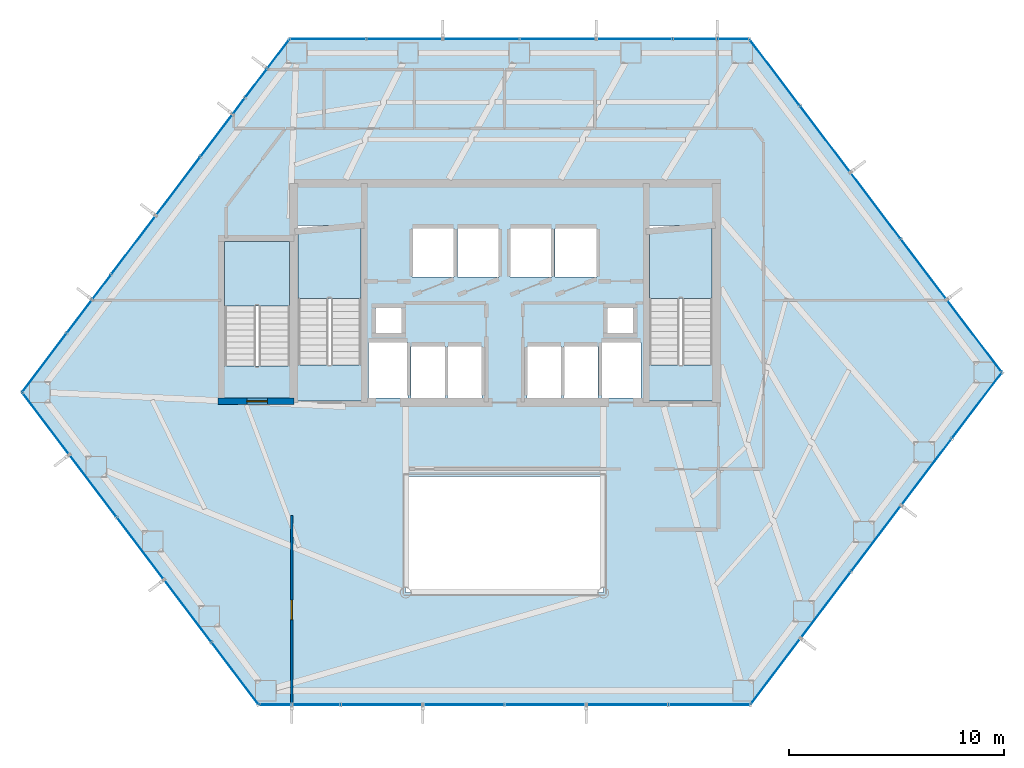
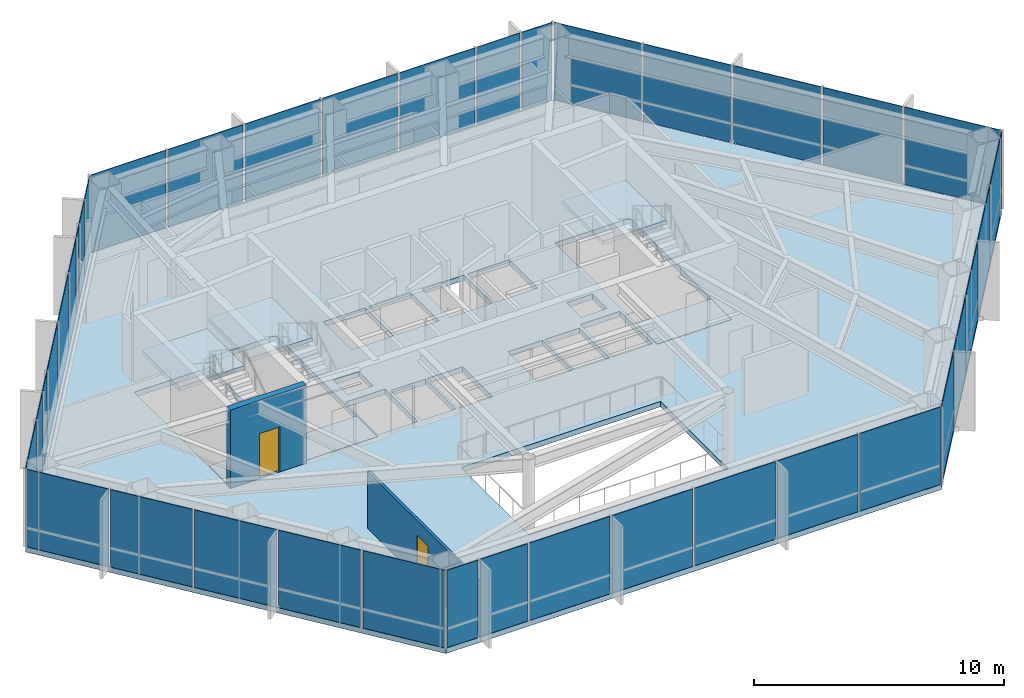
# One storey, part 22 of 26: 38 plates, 7 slabs, 2 doors, 2 walls, 2 openings, 9 elements without a shape of their own.
"""IFC4 building model written with IfcOpenShell, lengths in metres."""

import ifcopenshell
import ifcopenshell.guid

model = None  # the IFC model being written
_history = None  # IfcOwnerHistory: only IFC2X3 demands one
_inside = {}  # id of a spatial element -> (the spatial element, [elements in it])
_under = {}  # id of a project, library or spatial element -> (it, [spatial elements below it])
_declared = {}  # id of a project -> (the project, [libraries it declares])
_typed = {}  # id of a type object -> (the type object, [elements of that type])
_made_of = {}  # id of a material, layer set ... -> (it, [elements and type objects made of it])


def new_model(schema):
    """Start an empty IFC model of exactly this schema.

    Asked for "IFC4X3", IfcOpenShell would pick the latest addendum, in which some entities
    have other attributes; the version numbers below select the first issue.
    IFC2X3 requires an IfcOwnerHistory on every rooted entity: one is made here for all.
    """
    global model, _history
    if schema == "IFC4X3":
        model = ifcopenshell.file(schema_version=(4, 3, 0, 0))
    else:
        model = ifcopenshell.file(schema=schema)
    _inside.clear()
    _under.clear()
    _declared.clear()
    _typed.clear()
    _made_of.clear()
    _history = None
    if model.schema == "IFC2X3":
        org = make("IfcOrganization", Name="unknown")
        user = make(
            "IfcPersonAndOrganization",
            ThePerson=make("IfcPerson", FamilyName="unknown"),
            TheOrganization=org,
        )
        app = make(
            "IfcApplication",
            ApplicationDeveloper=org,
            Version="unknown",
            ApplicationFullName="unknown",
            ApplicationIdentifier="unknown",
        )
        _history = make(
            "IfcOwnerHistory",
            OwningUser=user,
            OwningApplication=app,
            ChangeAction="ADDED",
            CreationDate=0,
        )
    return model


def make(cls, **values):
    """One entity of the class cls with the attributes given. An attribute that is None is left unset."""
    return model.create_entity(
        cls, **{name: value for name, value in values.items() if value is not None}
    )


def rooted(cls, **values):
    """An entity with a GlobalId (a new one), such as an element, a storey or a relation."""
    return make(cls, GlobalId=ifcopenshell.guid.new(), OwnerHistory=_history, **values)


def si_unit(unit_type, name, prefix=None):
    """IfcSIUnit, for example si_unit("LENGTHUNIT", "METRE", prefix="MILLI")."""
    return make("IfcSIUnit", UnitType=unit_type, Prefix=prefix, Name=name)


def assignment(units):
    """IfcUnitAssignment: the units of a project."""
    return None if units is None else make("IfcUnitAssignment", Units=units)


def point(xyz):
    """IfcCartesianPoint."""
    return None if xyz is None else make("IfcCartesianPoint", Coordinates=xyz)


def direction(xyz):
    """IfcDirection."""
    return None if xyz is None else make("IfcDirection", DirectionRatios=xyz)


def frame(location, z_axis=None, x_axis=None):
    """IfcAxis2Placement3D, a coordinate frame: its origin and axes. An axis left out is left unset."""
    return make(
        "IfcAxis2Placement3D",
        Location=point(location),
        Axis=direction(z_axis),
        RefDirection=direction(x_axis),
    )


def frame_2d(location, x_axis=None):
    """IfcAxis2Placement2D, a coordinate frame in the plane: its origin and x axis."""
    return make(
        "IfcAxis2Placement2D", Location=point(location), RefDirection=direction(x_axis)
    )


def origin():
    """The frame at (0, 0, 0) with its axes left unset."""
    return frame((0.0, 0.0, 0.0))


def origin_2d():
    """The frame at (0, 0) in the plane with its x axis left unset."""
    return frame_2d((0.0, 0.0))


def place(relative_to, where):
    """IfcLocalPlacement: puts the frame where relative to a parent placement (None: the world)."""
    return make(
        "IfcLocalPlacement", PlacementRelTo=relative_to, RelativePlacement=where
    )


def context(
    kind, dimensions, precision=None, world=None, true_north=None, identifier=None
):
    """IfcGeometricRepresentationContext, for example the 3D "Model" context."""
    return make(
        "IfcGeometricRepresentationContext",
        ContextIdentifier=identifier,
        ContextType=kind,
        CoordinateSpaceDimension=dimensions,
        Precision=precision,
        WorldCoordinateSystem=world,
        TrueNorth=true_north,
    )


def subcontext(parent, identifier, kind, view, scale=None):
    """IfcGeometricRepresentationSubContext, for example "Body" below "Model"."""
    return make(
        "IfcGeometricRepresentationSubContext",
        ContextIdentifier=identifier,
        ContextType=kind,
        ParentContext=parent,
        TargetScale=scale,
        TargetView=view,
    )


def project(units=None, contexts=None):
    """IfcProject with its units and contexts."""
    return rooted(
        "IfcProject",
        Name="project",
        RepresentationContexts=contexts,
        UnitsInContext=assignment(units),
    )


def spatial(cls, under=None, at=None, **own):
    """A site, building, storey or space (cls), placed at a placement, below another one or the project."""
    s = rooted(cls, ObjectPlacement=at, **own)
    if under is not None:
        _under.setdefault(under.id(), (under, []))[1].append(s)
    return s


def polyline(points):
    """IfcPolyline through the points."""
    return make("IfcPolyline", Points=[point(p) for p in points])


def profile(cls, at=None, kind="AREA", **sizes):
    """A parametric profile (cls). Its sizes go by their IFC names, for example OverallWidth=200.0."""
    return make(cls, ProfileType=kind, Position=at, **sizes)


def rectangle(**sizes):
    """IfcRectangleProfileDef."""
    return profile("IfcRectangleProfileDef", **sizes)


def outline(outer, holes=None, kind="AREA"):
    """IfcArbitraryClosedProfileDef: a profile drawn as a closed curve; with holes, ...WithVoids."""
    if holes is None:
        return make("IfcArbitraryClosedProfileDef", ProfileType=kind, OuterCurve=outer)
    return make(
        "IfcArbitraryProfileDefWithVoids",
        ProfileType=kind,
        OuterCurve=outer,
        InnerCurves=holes,
    )


def extrude(swept, where, along, depth):
    """IfcExtrudedAreaSolid: the profile swept, set in the frame where, extruded along a direction by depth."""
    return make(
        "IfcExtrudedAreaSolid",
        SweptArea=swept,
        Position=where,
        ExtrudedDirection=direction(along),
        Depth=depth,
    )


def shape(context_of_items, identifier, shape_type, items):
    """IfcShapeRepresentation: the items that make up one representation, for example the "Body"."""
    return make(
        "IfcShapeRepresentation",
        ContextOfItems=context_of_items,
        RepresentationIdentifier=identifier,
        RepresentationType=shape_type,
        Items=items,
    )


def material(Name=None, Category=None):
    """IfcMaterial."""
    return make("IfcMaterial", Name=Name, Category=Category)


def layer(
    of_material, thickness, ventilated=None, Name=None, Category=None, Priority=None
):
    """IfcMaterialLayer: one layer of a wall or slab, of a material (None: an air gap)."""
    return make(
        "IfcMaterialLayer",
        Material=of_material,
        LayerThickness=thickness,
        IsVentilated=ventilated,
        Name=Name,
        Category=Category,
        Priority=Priority,
    )


def layer_set(layers, Name=None):
    """IfcMaterialLayerSet."""
    return make("IfcMaterialLayerSet", MaterialLayers=layers, LayerSetName=Name)


def made_of(thing, what):
    """Note that an element or type object is made of a material, layer set ...; save() writes the relation."""
    if what is not None:
        _made_of.setdefault(what.id(), (what, []))[1].append(thing)
    return thing


def type_object(cls, material=None, **own):
    """A type object (cls), such as IfcWallType, which elements share."""
    return made_of(rooted(cls, **own), material)


def element(
    cls,
    number,
    at=None,
    inside=None,
    cuts=None,
    type_object=None,
    material=None,
    context=None,
    identifier="Body",
    shape_type=None,
    held_by="IfcProductDefinitionShape",
    body=None,
    shapes=None,
    **own,
):
    """One element of the class cls, such as IfcWall. Its Tag is "e" and its number.

    at: its placement. inside: the storey or other place that contains it. cuts: it is an
    opening in that element (IfcRelVoidsElement). A single representation is given by context,
    identifier, shape_type and body (its items); several are given by shapes. held_by: the class
    of the entity that holds the representations. save() writes the other relations.
    """
    e = rooted(cls, Tag="e%d" % number, ObjectPlacement=at, **own)
    if body is not None:
        shapes = [shape(context, identifier, shape_type, body)]
    if shapes is not None:
        e.Representation = make(held_by, Representations=shapes)
    if inside is not None:
        _inside.setdefault(inside.id(), (inside, []))[1].append(e)
    if cuts is not None:
        rooted(
            "IfcRelVoidsElement", RelatingBuildingElement=cuts, RelatedOpeningElement=e
        )
    if type_object is not None:
        _typed.setdefault(type_object.id(), (type_object, []))[1].append(e)
    return made_of(e, material)


def fill(opening, filler):
    """IfcRelFillsElement: the door or window that sits in an opening."""
    return rooted(
        "IfcRelFillsElement",
        RelatingOpeningElement=opening,
        RelatedBuildingElement=filler,
    )


def aggregate(whole, parts):
    """IfcRelAggregates: a whole, such as a stair, and the parts it consists of."""
    return rooted("IfcRelAggregates", RelatingObject=whole, RelatedObjects=parts)


def save(model, path):
    """Write the relations noted so far, then the file.

    IfcRelAggregates (storeys below a building ...), IfcRelContainedInSpatialStructure (elements
    in a storey), IfcRelDefinesByType, IfcRelAssociatesMaterial and IfcRelDeclares: one each for
    every whole, place, type object, material and project.
    """
    for whole, parts in _under.values():
        aggregate(whole, parts)
    for where, things in _inside.values():
        rooted(
            "IfcRelContainedInSpatialStructure",
            RelatedElements=things,
            RelatingStructure=where,
        )
    for kind, things in _typed.values():
        rooted("IfcRelDefinesByType", RelatedObjects=things, RelatingType=kind)
    for what, things in _made_of.values():
        rooted("IfcRelAssociatesMaterial", RelatedObjects=things, RelatingMaterial=what)
    for by, libraries in _declared.values():
        rooted("IfcRelDeclares", RelatingContext=by, RelatedDefinitions=libraries)
    model.write(path)


model = new_model("IFC4")

# Units and contexts
model_context = context("Model", 3, precision=1e-05, world=origin(), true_north=direction((0.0, 1.0)))
body_context = subcontext(model_context, "Body", "Model", "MODEL_VIEW")
ifc_project = project(units=[si_unit("LENGTHUNIT", "METRE"), si_unit("AREAUNIT", "SQUARE_METRE"), si_unit("VOLUMEUNIT", "CUBIC_METRE"), si_unit("PLANEANGLEUNIT", "RADIAN"), si_unit("MASSUNIT", "GRAM", prefix="KILO")], contexts=[model_context])

# Site, building, storey
site_placement = place(None, origin())
site = spatial("IfcSite", under=ifc_project, at=site_placement, CompositionType="ELEMENT")
building_placement = place(site_placement, origin())
building = spatial("IfcBuilding", under=site, at=building_placement, Name="Zarrinselat Tower", CompositionType="ELEMENT")
storey_placement = place(building_placement, frame((0.0, 0.0, 31.6201171875)))
storey = spatial("IfcBuildingStorey", under=building, at=storey_placement, Name="L07", CompositionType="ELEMENT", Elevation=31.6201171875)

# Curtain wall, plates
ifc_material_1 = material(Name="Extruded Aluminium Alloy EN AW-6063 T6", Category="aluminium")
ifc_layer_1 = layer(ifc_material_1, 0.18505859375)
ifc_layer_set_1 = layer_set([ifc_layer_1], Name="Extruded Aluminium Alloy EN AW-6063 T6")
curtain_wall_type = type_object("IfcCurtainWallType", Name="CWS-OFF", PredefinedType="NOTDEFINED", material=ifc_layer_set_1)
curtain_wall_1_placement = place(storey_placement, origin())
curtain_wall_1 = element("IfcCurtainWall", 1, at=curtain_wall_1_placement, inside=storey, type_object=curtain_wall_type, Name="L07 Unitised Curtain Wall CW-L07-E01", PredefinedType="NOTDEFINED")
ifc_material_2 = material(Name="Double Low-E Laminated Solar Glass", Category="glass")
ifc_layer_2 = layer(ifc_material_2, 0.031982421875)
ifc_layer_set_2 = layer_set([ifc_layer_2], Name="Double Low-E Laminated Solar Glass")
plate_type = type_object("IfcPlateType", Name="PLT-CW-GL32", PredefinedType="CURTAIN_PANEL", material=ifc_layer_set_2)
plate_1_placement = place(storey_placement, frame((49.044677734375, 50.1611328125, 0.02001953125), z_axis=(0.0, 0.0, 1.0), x_axis=(-1.0, 0.0, 0.0)))
plate_1 = element("IfcPlate", 2, at=plate_1_placement, type_object=plate_type, Name="CW-L07-E01 Vision Glass Panel 1", PredefinedType="CURTAIN_PANEL", context=body_context, shape_type="SweptSolid", body=[
    extrude(rectangle(XDim=1.389404296875, YDim=0.031982421875, at=origin_2d()), origin(), (0.0, 0.0, 1.0), 3.780029296875),
])
plate_2_placement = place(storey_placement, frame((47.26220703125, 50.1611328125, 0.02001953125), z_axis=(0.0, 0.0, 1.0), x_axis=(-1.0, 0.0, 0.0)))
plate_2 = element("IfcPlate", 3, at=plate_2_placement, type_object=plate_type, Name="CW-L07-E01 Vision Glass Panel 2", PredefinedType="CURTAIN_PANEL", context=body_context, shape_type="SweptSolid", body=[
    extrude(rectangle(XDim=1.9755859375, YDim=0.031982421875, at=origin_2d()), origin(), (0.0, 0.0, 1.0), 3.780029296875),
])
plate_3_placement = place(storey_placement, frame((44.44189453125, 50.1611328125, 0.02001953125), z_axis=(0.0, 0.0, 1.0), x_axis=(-1.0, 0.0, 0.0)))
plate_3 = element("IfcPlate", 4, at=plate_3_placement, type_object=plate_type, Name="CW-L07-E01 Vision Glass Panel 3", PredefinedType="CURTAIN_PANEL", context=body_context, shape_type="SweptSolid", body=[
    extrude(rectangle(XDim=3.465087890625, YDim=0.031982421875, at=origin_2d()), origin(), (0.0, 0.0, 1.0), 3.780029296875),
])
plate_4_placement = place(storey_placement, frame((40.876953125, 50.1611328125, 0.02001953125), z_axis=(0.0, 0.0, 1.0), x_axis=(-1.0, 0.0, 0.0)))
plate_4 = element("IfcPlate", 5, at=plate_4_placement, type_object=plate_type, Name="CW-L07-E01 Vision Glass Panel 4", PredefinedType="CURTAIN_PANEL", context=body_context, shape_type="SweptSolid", body=[
    extrude(rectangle(XDim=3.465087890625, YDim=0.031982421875, at=origin_2d()), origin(), (0.0, 0.0, 1.0), 3.780029296875),
])
plate_5_placement = place(storey_placement, frame((37.31201171875, 50.1611328125, 0.02001953125), z_axis=(0.0, 0.0, 1.0), x_axis=(-1.0, 0.0, 0.0)))
plate_5 = element("IfcPlate", 6, at=plate_5_placement, type_object=plate_type, Name="CW-L07-E01 Vision Glass Panel 5", PredefinedType="CURTAIN_PANEL", context=body_context, shape_type="SweptSolid", body=[
    extrude(rectangle(XDim=3.465087890625, YDim=0.031982421875, at=origin_2d()), origin(), (0.0, 0.0, 1.0), 3.780029296875),
])
plate_6_placement = place(storey_placement, frame((33.746826171875, 50.1611328125, 0.02001953125), z_axis=(0.0, 0.0, 1.0), x_axis=(-1.0, 0.0, 0.0)))
plate_6 = element("IfcPlate", 7, at=plate_6_placement, type_object=plate_type, Name="CW-L07-E01 Vision Glass Panel 6", PredefinedType="CURTAIN_PANEL", context=body_context, shape_type="SweptSolid", body=[
    extrude(rectangle(XDim=3.465087890625, YDim=0.031982421875, at=origin_2d()), origin(), (0.0, 0.0, 1.0), 3.780029296875),
])
plate_7_placement = place(storey_placement, frame((30.181884765625, 50.1611328125, 0.02001953125), z_axis=(0.0, 0.0, 1.0), x_axis=(-1.0, 0.0, 0.0)))
plate_7 = element("IfcPlate", 8, at=plate_7_placement, type_object=plate_type, Name="CW-L07-E01 Vision Glass Panel 7", PredefinedType="CURTAIN_PANEL", context=body_context, shape_type="SweptSolid", body=[
    extrude(rectangle(XDim=3.465087890625, YDim=0.031982421875, at=origin_2d()), origin(), (0.0, 0.0, 1.0), 3.780029296875),
])
aggregate(curtain_wall_1, [plate_1, plate_2, plate_3, plate_4, plate_5, plate_6, plate_7])

curtain_wall_2_placement = place(storey_placement, origin())
curtain_wall_2 = element("IfcCurtainWall", 9, at=curtain_wall_2_placement, inside=storey, type_object=curtain_wall_type, Name="L07 Unitised Curtain Wall CW-L07-E02", PredefinedType="NOTDEFINED")
plate_8_placement = place(storey_placement, frame((27.878662109375, 49.4736328125, 0.02001953125), z_axis=(0.0, 0.0, 1.0), x_axis=(-0.603858715485, -0.797091369752, 0.0)))
plate_8 = element("IfcPlate", 10, at=plate_8_placement, type_object=plate_type, Name="CW-L07-E02 Vision Glass Panel 1", PredefinedType="CURTAIN_PANEL", context=body_context, shape_type="SweptSolid", body=[
    extrude(rectangle(XDim=1.624755859375, YDim=0.031982421875, at=origin_2d()), origin(), (0.0, 0.0, 1.0), 3.780029296875),
])
plate_9_placement = place(storey_placement, frame((26.84130859375, 48.1044921875, 0.02001953125), z_axis=(0.0, 0.0, 1.0), x_axis=(-0.603858715485, -0.797091369752, 0.0)))
plate_9 = element("IfcPlate", 11, at=plate_9_placement, type_object=plate_type, Name="CW-L07-E02 Vision Glass Panel 2", PredefinedType="CURTAIN_PANEL", context=body_context, shape_type="SweptSolid", body=[
    extrude(rectangle(XDim=1.610595703125, YDim=0.031982421875, at=origin_2d()), origin(), (0.0, 0.0, 1.0), 3.780029296875),
])
plate_10_placement = place(storey_placement, frame((26.03857421875, 47.044921875, 0.02001953125), z_axis=(0.0, 0.0, 1.0), x_axis=(-0.603858715485, -0.797091369752, 0.0)))
plate_10 = element("IfcPlate", 12, at=plate_10_placement, type_object=plate_type, Name="CW-L07-E02 Vision Glass Panel 3", PredefinedType="CURTAIN_PANEL", context=body_context, shape_type="SweptSolid", body=[
    extrude(rectangle(XDim=0.8486328125, YDim=0.031982421875, at=origin_2d()), origin(), (0.0, 0.0, 1.0), 3.780029296875),
])
plate_11_placement = place(storey_placement, frame((25.001220703125, 45.67578125, 0.02001953125), z_axis=(0.0, 0.0, 1.0), x_axis=(-0.603858715485, -0.797091369752, 0.0)))
plate_11 = element("IfcPlate", 13, at=plate_11_placement, type_object=plate_type, Name="CW-L07-E02 Vision Glass Panel 4", PredefinedType="CURTAIN_PANEL", context=body_context, shape_type="SweptSolid", body=[
    extrude(rectangle(XDim=2.38671875, YDim=0.031982421875, at=origin_2d()), origin(), (0.0, 0.0, 1.0), 3.780029296875),
])
plate_12_placement = place(storey_placement, frame((23.21337890625, 43.3154296875, 0.02001953125), z_axis=(0.0, 0.0, 1.0), x_axis=(-0.603858715485, -0.797091369752, 0.0)))
plate_12 = element("IfcPlate", 14, at=plate_12_placement, type_object=plate_type, Name="CW-L07-E02 Vision Glass Panel 5", PredefinedType="CURTAIN_PANEL", context=body_context, shape_type="SweptSolid", body=[
    extrude(rectangle(XDim=3.335205078125, YDim=0.031982421875, at=origin_2d()), origin(), (0.0, 0.0, 1.0), 3.780029296875),
])
plate_13_placement = place(storey_placement, frame((21.138916015625, 40.5771484375, 0.02001953125), z_axis=(0.0, 0.0, 1.0), x_axis=(-0.603858715485, -0.797091369752, 0.0)))
plate_13 = element("IfcPlate", 15, at=plate_13_placement, type_object=plate_type, Name="CW-L07-E02 Vision Glass Panel 6", PredefinedType="CURTAIN_PANEL", context=body_context, shape_type="SweptSolid", body=[
    extrude(rectangle(XDim=3.335205078125, YDim=0.031982421875, at=origin_2d()), origin(), (0.0, 0.0, 1.0), 3.780029296875),
])
plate_14_placement = place(storey_placement, frame((19.65771484375, 38.6220703125, 0.02001953125), z_axis=(0.0, 0.0, 1.0), x_axis=(-0.603858715485, -0.797091369752, 0.0)))
plate_14 = element("IfcPlate", 16, at=plate_14_placement, type_object=plate_type, Name="CW-L07-E02 Vision Glass Panel 7", PredefinedType="CURTAIN_PANEL", context=body_context, shape_type="SweptSolid", body=[
    extrude(rectangle(XDim=1.3701171875, YDim=0.031982421875, at=origin_2d()), origin(), (0.0, 0.0, 1.0), 3.780029296875),
])
plate_15_placement = place(storey_placement, frame((18.62060546875, 37.2529296875, 0.02001953125), z_axis=(0.0, 0.0, 1.0), x_axis=(-0.603858715485, -0.797091369752, 0.0)))
plate_15 = element("IfcPlate", 17, at=plate_15_placement, type_object=plate_type, Name="CW-L07-E02 Vision Glass Panel 8", PredefinedType="CURTAIN_PANEL", context=body_context, shape_type="SweptSolid", body=[
    extrude(rectangle(XDim=1.865234375, YDim=0.031982421875, at=origin_2d()), origin(), (0.0, 0.0, 1.0), 3.780029296875),
])
plate_16_placement = place(storey_placement, frame((16.989990234375, 35.1005859375, 0.02001953125), z_axis=(0.0, 0.0, 1.0), x_axis=(-0.603858715485, -0.797091369752, 0.0)))
plate_16 = element("IfcPlate", 18, at=plate_16_placement, type_object=plate_type, Name="CW-L07-E02 Vision Glass Panel 9", PredefinedType="CURTAIN_PANEL", context=body_context, shape_type="SweptSolid", body=[
    extrude(rectangle(XDim=3.335205078125, YDim=0.031982421875, at=origin_2d()), origin(), (0.0, 0.0, 1.0), 3.780029296875),
])
aggregate(curtain_wall_2, [plate_8, plate_9, plate_10, plate_11, plate_12, plate_13, plate_14, plate_15, plate_16])

curtain_wall_3_placement = place(storey_placement, origin())
curtain_wall_3 = element("IfcCurtainWall", 19, at=curtain_wall_3_placement, inside=storey, type_object=curtain_wall_type, Name="L07 Unitised Curtain Wall CW-L07-E03", PredefinedType="NOTDEFINED")
plate_17_placement = place(storey_placement, frame((17.05419921875, 32.27734375, 0.02001953125), z_axis=(0.0, 0.0, 1.0), x_axis=(0.603858215687, -0.797091748388, 0.0)))
plate_17 = element("IfcPlate", 20, at=plate_17_placement, type_object=plate_type, Name="CW-L07-E03 Vision Glass Panel 1", PredefinedType="CURTAIN_PANEL", context=body_context, shape_type="SweptSolid", body=[
    extrude(rectangle(XDim=3.548583984375, YDim=0.031982421875, at=origin_2d()), origin(), (0.0, 0.0, 1.0), 3.780029296875),
])
plate_18_placement = place(storey_placement, frame((19.257568359375, 29.369140625, 0.02001953125), z_axis=(0.0, 0.0, 1.0), x_axis=(0.603858215687, -0.797091748388, 0.0)))
plate_18 = element("IfcPlate", 21, at=plate_18_placement, type_object=plate_type, Name="CW-L07-E03 Vision Glass Panel 2", PredefinedType="CURTAIN_PANEL", context=body_context, shape_type="SweptSolid", body=[
    extrude(rectangle(XDim=3.548583984375, YDim=0.031982421875, at=origin_2d()), origin(), (0.0, 0.0, 1.0), 3.780029296875),
])
plate_19_placement = place(storey_placement, frame((21.460693359375, 26.4609375, 0.02001953125), z_axis=(0.0, 0.0, 1.0), x_axis=(0.603858215687, -0.797091748388, 0.0)))
plate_19 = element("IfcPlate", 22, at=plate_19_placement, type_object=plate_type, Name="CW-L07-E03 Vision Glass Panel 3", PredefinedType="CURTAIN_PANEL", context=body_context, shape_type="SweptSolid", body=[
    extrude(rectangle(XDim=3.548583984375, YDim=0.031982421875, at=origin_2d()), origin(), (0.0, 0.0, 1.0), 3.780029296875),
])
plate_20_placement = place(storey_placement, frame((23.663818359375, 23.552734375, 0.02001953125), z_axis=(0.0, 0.0, 1.0), x_axis=(0.603858215687, -0.797091748388, 0.0)))
plate_20 = element("IfcPlate", 23, at=plate_20_placement, type_object=plate_type, Name="CW-L07-E03 Vision Glass Panel 4", PredefinedType="CURTAIN_PANEL", context=body_context, shape_type="SweptSolid", body=[
    extrude(rectangle(XDim=3.548583984375, YDim=0.031982421875, at=origin_2d()), origin(), (0.0, 0.0, 1.0), 3.780029296875),
])
plate_21_placement = place(storey_placement, frame((25.8671875, 20.64453125, 0.02001953125), z_axis=(0.0, 0.0, 1.0), x_axis=(0.603858215687, -0.797091748388, 0.0)))
plate_21 = element("IfcPlate", 24, at=plate_21_placement, type_object=plate_type, Name="CW-L07-E03 Vision Glass Panel 5", PredefinedType="CURTAIN_PANEL", context=body_context, shape_type="SweptSolid", body=[
    extrude(rectangle(XDim=3.548583984375, YDim=0.031982421875, at=origin_2d()), origin(), (0.0, 0.0, 1.0), 3.780029296875),
])
aggregate(curtain_wall_3, [plate_17, plate_18, plate_19, plate_20, plate_21])

curtain_wall_4_placement = place(storey_placement, origin())
curtain_wall_4 = element("IfcCurtainWall", 25, at=curtain_wall_4_placement, inside=storey, type_object=curtain_wall_type, Name="L07 Unitised Curtain Wall CW-L07-E04", PredefinedType="NOTDEFINED")
plate_22_placement = place(storey_placement, frame((27.734375, 19.1904296875, 0.02001953125), z_axis=(0.0, 0.0, 1.0), x_axis=(1.0, 0.0, 0.0)))
plate_22 = element("IfcPlate", 26, at=plate_22_placement, type_object=plate_type, Name="CW-L07-E04 Vision Glass Panel 1", PredefinedType="CURTAIN_PANEL", context=body_context, shape_type="SweptSolid", body=[
    extrude(rectangle(XDim=1.431396484375, YDim=0.031982421875, at=origin_2d()), origin(), (0.0, 0.0, 1.0), 3.780029296875),
])
plate_23_placement = place(storey_placement, frame((29.6396484375, 19.1904296875, 0.02001953125), z_axis=(0.0, 0.0, 1.0), x_axis=(1.0, 0.0, 0.0)))
plate_23 = element("IfcPlate", 27, at=plate_23_placement, type_object=plate_type, Name="CW-L07-E04 Vision Glass Panel 2", PredefinedType="CURTAIN_PANEL", context=body_context, shape_type="SweptSolid", body=[
    extrude(rectangle(XDim=2.17919921875, YDim=0.031982421875, at=origin_2d()), origin(), (0.0, 0.0, 1.0), 3.780029296875),
])
plate_24_placement = place(storey_placement, frame((32.684326171875, 19.1904296875, 0.02001953125), z_axis=(0.0, 0.0, 1.0), x_axis=(1.0, 0.0, 0.0)))
plate_24 = element("IfcPlate", 28, at=plate_24_placement, type_object=plate_type, Name="CW-L07-E04 Vision Glass Panel 3", PredefinedType="CURTAIN_PANEL", context=body_context, shape_type="SweptSolid", body=[
    extrude(rectangle(XDim=3.71044921875, YDim=0.031982421875, at=origin_2d()), origin(), (0.0, 0.0, 1.0), 3.780029296875),
])
plate_25_placement = place(storey_placement, frame((36.494873046875, 19.1904296875, 0.02001953125), z_axis=(0.0, 0.0, 1.0), x_axis=(1.0, 0.0, 0.0)))
plate_25 = element("IfcPlate", 29, at=plate_25_placement, type_object=plate_type, Name="CW-L07-E04 Vision Glass Panel 4", PredefinedType="CURTAIN_PANEL", context=body_context, shape_type="SweptSolid", body=[
    extrude(rectangle(XDim=3.71044921875, YDim=0.031982421875, at=origin_2d()), origin(), (0.0, 0.0, 1.0), 3.780029296875),
])
plate_26_placement = place(storey_placement, frame((40.30517578125, 19.1904296875, 0.02001953125), z_axis=(0.0, 0.0, 1.0), x_axis=(1.0, 0.0, 0.0)))
plate_26 = element("IfcPlate", 30, at=plate_26_placement, type_object=plate_type, Name="CW-L07-E04 Vision Glass Panel 5", PredefinedType="CURTAIN_PANEL", context=body_context, shape_type="SweptSolid", body=[
    extrude(rectangle(XDim=3.71044921875, YDim=0.031982421875, at=origin_2d()), origin(), (0.0, 0.0, 1.0), 3.780029296875),
])
plate_27_placement = place(storey_placement, frame((44.11572265625, 19.1904296875, 0.02001953125), z_axis=(0.0, 0.0, 1.0), x_axis=(1.0, 0.0, 0.0)))
plate_27 = element("IfcPlate", 31, at=plate_27_placement, type_object=plate_type, Name="CW-L07-E04 Vision Glass Panel 6", PredefinedType="CURTAIN_PANEL", context=body_context, shape_type="SweptSolid", body=[
    extrude(rectangle(XDim=3.71044921875, YDim=0.031982421875, at=origin_2d()), origin(), (0.0, 0.0, 1.0), 3.780029296875),
])
plate_28_placement = place(storey_placement, frame((47.926025390625, 19.1904296875, 0.02001953125), z_axis=(0.0, 0.0, 1.0), x_axis=(1.0, 0.0, 0.0)))
plate_28 = element("IfcPlate", 32, at=plate_28_placement, type_object=plate_type, Name="CW-L07-E04 Vision Glass Panel 7", PredefinedType="CURTAIN_PANEL", context=body_context, shape_type="SweptSolid", body=[
    extrude(rectangle(XDim=3.71044921875, YDim=0.031982421875, at=origin_2d()), origin(), (0.0, 0.0, 1.0), 3.780029296875),
])
aggregate(curtain_wall_4, [plate_22, plate_23, plate_24, plate_25, plate_26, plate_27, plate_28])

curtain_wall_5_placement = place(storey_placement, origin())
curtain_wall_5 = element("IfcCurtainWall", 33, at=curtain_wall_5_placement, inside=storey, type_object=curtain_wall_type, Name="L07 Unitised Curtain Wall CW-L07-E05", PredefinedType="NOTDEFINED")
plate_29_placement = place(storey_placement, frame((51.002197265625, 20.736083984375, 0.02001953125), z_axis=(0.0, 0.0, 1.0), x_axis=(0.603858382963, 0.797091621663, 0.0)))
plate_29 = element("IfcPlate", 34, at=plate_29_placement, type_object=plate_type, Name="CW-L07-E05 Vision Glass Panel 1", PredefinedType="CURTAIN_PANEL", context=body_context, shape_type="SweptSolid", body=[
    extrude(rectangle(XDim=3.778564453125, YDim=0.031982421875, at=origin_2d()), origin(), (0.0, 0.0, 1.0), 3.780029296875),
])
plate_30_placement = place(storey_placement, frame((53.344482421875, 23.82763671875, 0.02001953125), z_axis=(0.0, 0.0, 1.0), x_axis=(0.603858382963, 0.797091621663, 0.0)))
plate_30 = element("IfcPlate", 35, at=plate_30_placement, type_object=plate_type, Name="CW-L07-E05 Vision Glass Panel 2", PredefinedType="CURTAIN_PANEL", context=body_context, shape_type="SweptSolid", body=[
    extrude(rectangle(XDim=3.778564453125, YDim=0.031982421875, at=origin_2d()), origin(), (0.0, 0.0, 1.0), 3.780029296875),
])
plate_31_placement = place(storey_placement, frame((55.6865234375, 26.919189453125, 0.02001953125), z_axis=(0.0, 0.0, 1.0), x_axis=(0.603858382963, 0.797091621663, 0.0)))
plate_31 = element("IfcPlate", 36, at=plate_31_placement, type_object=plate_type, Name="CW-L07-E05 Vision Glass Panel 3", PredefinedType="CURTAIN_PANEL", context=body_context, shape_type="SweptSolid", body=[
    extrude(rectangle(XDim=3.778564453125, YDim=0.031982421875, at=origin_2d()), origin(), (0.0, 0.0, 1.0), 3.780029296875),
])
plate_32_placement = place(storey_placement, frame((58.028564453125, 30.0107421875, 0.02001953125), z_axis=(0.0, 0.0, 1.0), x_axis=(0.603858382963, 0.797091621663, 0.0)))
plate_32 = element("IfcPlate", 37, at=plate_32_placement, type_object=plate_type, Name="CW-L07-E05 Vision Glass Panel 4", PredefinedType="CURTAIN_PANEL", context=body_context, shape_type="SweptSolid", body=[
    extrude(rectangle(XDim=3.778564453125, YDim=0.031982421875, at=origin_2d()), origin(), (0.0, 0.0, 1.0), 3.780029296875),
])
plate_33_placement = place(storey_placement, frame((60.37060546875, 33.102294921875, 0.02001953125), z_axis=(0.0, 0.0, 1.0), x_axis=(0.603858382963, 0.797091621663, 0.0)))
plate_33 = element("IfcPlate", 38, at=plate_33_placement, type_object=plate_type, Name="CW-L07-E05 Vision Glass Panel 5", PredefinedType="CURTAIN_PANEL", context=body_context, shape_type="SweptSolid", body=[
    extrude(rectangle(XDim=3.778564453125, YDim=0.031982421875, at=origin_2d()), origin(), (0.0, 0.0, 1.0), 3.780029296875),
])
aggregate(curtain_wall_5, [plate_29, plate_30, plate_31, plate_32, plate_33])

curtain_wall_6_placement = place(storey_placement, origin())
curtain_wall_6 = element("IfcCurtainWall", 39, at=curtain_wall_6_placement, inside=storey, type_object=curtain_wall_type, Name="L07 Unitised Curtain Wall CW-L07-E06", PredefinedType="NOTDEFINED")
plate_34_placement = place(storey_placement, frame((60.25830078125, 36.34228515625, 0.02001953125), z_axis=(0.0, 0.0, 1.0), x_axis=(-0.603858578341, 0.797091473649, 0.0)))
plate_34 = element("IfcPlate", 40, at=plate_34_placement, type_object=plate_type, Name="CW-L07-E06 Vision Glass Panel 1", PredefinedType="CURTAIN_PANEL", context=body_context, shape_type="SweptSolid", body=[
    extrude(rectangle(XDim=4.150634765625, YDim=0.031982421875, at=origin_2d()), origin(), (0.0, 0.0, 1.0), 3.780029296875),
])
plate_35_placement = place(storey_placement, frame((57.907958984375, 39.44482421875, 0.02001953125), z_axis=(0.0, 0.0, 1.0), x_axis=(-0.603858578341, 0.797091473649, 0.0)))
plate_35 = element("IfcPlate", 41, at=plate_35_placement, type_object=plate_type, Name="CW-L07-E06 Vision Glass Panel 2", PredefinedType="CURTAIN_PANEL", context=body_context, shape_type="SweptSolid", body=[
    extrude(rectangle(XDim=3.43408203125, YDim=0.031982421875, at=origin_2d()), origin(), (0.0, 0.0, 1.0), 3.780029296875),
])
plate_36_placement = place(storey_placement, frame((55.66552734375, 42.404541015625, 0.02001953125), z_axis=(0.0, 0.0, 1.0), x_axis=(-0.603858578341, 0.797091473649, 0.0)))
plate_36 = element("IfcPlate", 42, at=plate_36_placement, type_object=plate_type, Name="CW-L07-E06 Vision Glass Panel 3", PredefinedType="CURTAIN_PANEL", context=body_context, shape_type="SweptSolid", body=[
    extrude(rectangle(XDim=3.79248046875, YDim=0.031982421875, at=origin_2d()), origin(), (0.0, 0.0, 1.0), 3.780029296875),
])
plate_37_placement = place(storey_placement, frame((53.315185546875, 45.507080078125, 0.02001953125), z_axis=(0.0, 0.0, 1.0), x_axis=(-0.603858578341, 0.797091473649, 0.0)))
plate_37 = element("IfcPlate", 43, at=plate_37_placement, type_object=plate_type, Name="CW-L07-E06 Vision Glass Panel 4", PredefinedType="CURTAIN_PANEL", context=body_context, shape_type="SweptSolid", body=[
    extrude(rectangle(XDim=3.79248046875, YDim=0.031982421875, at=origin_2d()), origin(), (0.0, 0.0, 1.0), 3.780029296875),
])
plate_38_placement = place(storey_placement, frame((50.964599609375, 48.60986328125, 0.02001953125), z_axis=(0.0, 0.0, 1.0), x_axis=(-0.603858578341, 0.797091473649, 0.0)))
plate_38 = element("IfcPlate", 44, at=plate_38_placement, type_object=plate_type, Name="CW-L07-E06 Vision Glass Panel 5", PredefinedType="CURTAIN_PANEL", context=body_context, shape_type="SweptSolid", body=[
    extrude(rectangle(XDim=3.79248046875, YDim=0.031982421875, at=origin_2d()), origin(), (0.0, 0.0, 1.0), 3.780029296875),
])
aggregate(curtain_wall_6, [plate_34, plate_35, plate_36, plate_37, plate_38])

# Slabs
ifc_material_3 = material(Name="Concrete C40/50", Category="concrete")
ifc_layer_3 = layer(ifc_material_3, 0.260009765625)
ifc_layer_set_3 = layer_set([ifc_layer_3], Name="Concrete C40/50")
slab_type_1 = type_object("IfcSlabType", Name="SLB-FLOOR-260-SL-OF260", PredefinedType="FLOOR", material=ifc_layer_set_3)
slab_1_placement = place(storey_placement, frame((0.0, 0.0, -0.260009765625)))
element("IfcSlab", 45, at=slab_1_placement, inside=storey, type_object=slab_type_1, Name="L07 Primary Structural Slab", PredefinedType="FLOOR", context=body_context, shape_type="SweptSolid", body=[
    extrude(outline(polyline([(49.789306640625, 50.1611328125), (28.3994140625, 50.1611328125), (15.95263671875, 33.7314453125), (26.96875, 19.1904296875), (49.831298828125, 19.1904296875), (61.541748046875, 34.648193359375), (49.789306640625, 50.1611328125)]), holes=[polyline([(34.050048828125, 33.449951171875), (34.050048828125, 35.85009765625), (35.64990234375, 35.85009765625), (35.64990234375, 33.449951171875), (34.050048828125, 33.449951171875)]), polyline([(35.75, 33.449951171875), (35.75, 35.85009765625), (37.35009765625, 35.85009765625), (37.35009765625, 33.449951171875), (35.75, 33.449951171875)]), polyline([(32.06005859375, 33.449951171875), (32.06005859375, 36.050048828125), (33.89990234375, 36.050048828125), (33.89990234375, 33.449951171875), (32.06005859375, 33.449951171875)]), polyline([(32.419921875, 36.47998046875), (32.419921875, 37.639892578125), (33.60009765625, 37.639892578125), (33.60009765625, 36.47998046875), (32.419921875, 36.47998046875)]), polyline([(28.594970703125, 33.324951171875), (25.114990234375, 33.324951171875), (25.114990234375, 40.875), (28.594970703125, 40.875), (28.594970703125, 33.324951171875)]), polyline([(31.985107421875, 33.324951171875), (28.60498046875, 33.324951171875), (28.60498046875, 41.47509765625), (31.985107421875, 41.47509765625), (31.985107421875, 33.324951171875)]), polyline([(34.10009765625, 39.10009765625), (34.10009765625, 41.35009765625), (36.050048828125, 41.35009765625), (36.050048828125, 39.10009765625), (34.10009765625, 39.10009765625)]), polyline([(36.199951171875, 39.10009765625), (36.199951171875, 41.35009765625), (38.14990234375, 41.35009765625), (38.14990234375, 39.10009765625), (36.199951171875, 39.10009765625)]), polyline([(33.800048828125, 24.39990234375), (33.800048828125, 29.800048828125), (43.0, 29.800048828125), (43.0, 24.39990234375), (33.800048828125, 24.39990234375)]), polyline([(39.449951171875, 33.449951171875), (39.449951171875, 35.85009765625), (41.050048828125, 35.85009765625), (41.050048828125, 33.449951171875), (39.449951171875, 33.449951171875)]), polyline([(41.14990234375, 33.449951171875), (41.14990234375, 35.85009765625), (42.75, 35.85009765625), (42.75, 33.449951171875), (41.14990234375, 33.449951171875)]), polyline([(42.89990234375, 33.449951171875), (42.89990234375, 36.050048828125), (44.739990234375, 36.050048828125), (44.739990234375, 33.449951171875), (42.89990234375, 33.449951171875)]), polyline([(43.199951171875, 36.47998046875), (43.199951171875, 37.639892578125), (44.3798828125, 37.639892578125), (44.3798828125, 36.47998046875), (43.199951171875, 36.47998046875)]), polyline([(48.324951171875, 33.324951171875), (44.875, 33.324951171875), (44.875, 41.47509765625), (48.324951171875, 41.47509765625), (48.324951171875, 33.324951171875)]), polyline([(38.64990234375, 39.10009765625), (38.64990234375, 41.35009765625), (40.60009765625, 41.35009765625), (40.60009765625, 39.10009765625), (38.64990234375, 39.10009765625)]), polyline([(40.75, 39.10009765625), (40.75, 41.35009765625), (42.699951171875, 41.35009765625), (42.699951171875, 39.10009765625), (40.75, 39.10009765625)])]), origin(), (0.0, 0.0, 1.0), 0.260009765625),
])
slab_2_placement = place(storey_placement, frame((0.0, 0.0, -0.260009765625)))
element("IfcSlab", 46, at=slab_2_placement, inside=storey, type_object=slab_type_1, Name="L07 Stair ST-1-FL1 Structural Floor Landing", PredefinedType="FLOOR", context=body_context, shape_type="SweptSolid", body=[
    extrude(outline(polyline([(31.97998046875, 33.330078125), (31.97998046875, 35.0), (28.610107421875, 35.0), (28.610107421875, 33.330078125), (31.97998046875, 33.330078125)])), origin(), (0.0, 0.0, 1.0), 0.260009765625),
])
slab_3_placement = place(storey_placement, frame((0.0, 0.0, -0.260009765625)))
element("IfcSlab", 47, at=slab_3_placement, inside=storey, type_object=slab_type_1, Name="L07 Stair ST-2-FL1 Structural Floor Landing", PredefinedType="FLOOR", context=body_context, shape_type="SweptSolid", body=[
    extrude(outline(polyline([(48.320068359375, 33.330078125), (48.320068359375, 35.0), (44.8798828125, 35.0), (44.8798828125, 33.330078125), (48.320068359375, 33.330078125)])), origin(), (0.0, 0.0, 1.0), 0.260009765625),
])
slab_4_placement = place(storey_placement, frame((0.0, 0.0, -0.260009765625)))
element("IfcSlab", 48, at=slab_4_placement, inside=storey, type_object=slab_type_1, Name="L07 Stair ST-3-FL1 Structural Floor Landing", PredefinedType="FLOOR", context=body_context, shape_type="SweptSolid", body=[
    extrude(outline(polyline([(28.590087890625, 33.330078125), (28.590087890625, 34.949951171875), (25.1201171875, 34.949951171875), (25.1201171875, 33.330078125), (28.590087890625, 33.330078125)])), origin(), (0.0, 0.0, 1.0), 0.260009765625),
])

# Stair, slab
ifc_material_4 = material(Name="Concrete C40/50", Category="concrete")
stair_type_1 = type_object("IfcStairType", Name="STR-CORE-145", PredefinedType="HALF_TURN_STAIR", material=ifc_material_4)
stair_1_placement = place(storey_placement, origin())
stair_1 = element("IfcStair", 49, at=stair_1_placement, inside=storey, type_object=stair_type_1, Name="L07 Podium & Mid-Tower Exit Stair 3", PredefinedType="HALF_TURN_STAIR")
ifc_material_5 = material(Name="Concrete C40/50", Category="concrete")
ifc_layer_4 = layer(ifc_material_5, 0.1650390625)
ifc_layer_set_4 = layer_set([ifc_layer_4], Name="Concrete C40/50")
slab_type_2 = type_object("IfcSlabType", Name="SLB-LND-165", PredefinedType="LANDING", material=ifc_layer_set_4)
slab_5_placement = place(storey_placement, frame((0.0, 0.0, 1.83984375)))
slab_5 = element("IfcSlab", 50, at=slab_5_placement, type_object=slab_type_2, Name="ST-3 landing 1", PredefinedType="LANDING", context=body_context, shape_type="SweptSolid", body=[
    extrude(outline(polyline([(28.39990234375, 37.75), (28.39990234375, 40.75), (25.3798828125, 40.75), (25.3798828125, 37.75), (28.39990234375, 37.75)])), origin(), (0.0, 0.0, 1.0), 0.199951171875),
])
aggregate(stair_1, [slab_5])

ifc_material_6 = material(Name="Concrete C40/50", Category="concrete")
stair_type_2 = type_object("IfcStairType", Name="STR-CORE-155", PredefinedType="HALF_TURN_STAIR", material=ifc_material_6)
stair_2_placement = place(storey_placement, origin())
stair_2 = element("IfcStair", 51, at=stair_2_placement, inside=storey, type_object=stair_type_2, Name="L07 Core Exit Stair 1", PredefinedType="HALF_TURN_STAIR")
ifc_material_7 = material(Name="Concrete C40/50", Category="concrete")
ifc_layer_5 = layer(ifc_material_7, 0.18994140625)
ifc_layer_set_5 = layer_set([ifc_layer_5], Name="Concrete C40/50")
slab_type_3 = type_object("IfcSlabType", Name="SLB-LND-190", PredefinedType="LANDING", material=ifc_layer_set_5)
slab_6_placement = place(storey_placement, frame((0.0, 0.0, 1.83984375)))
slab_6 = element("IfcSlab", 52, at=slab_6_placement, type_object=slab_type_3, Name="ST-1 landing 1", PredefinedType="LANDING", context=body_context, shape_type="SweptSolid", body=[
    extrude(outline(polyline([(31.719970703125, 38.10009765625), (31.719970703125, 41.35009765625), (28.800048828125, 41.35009765625), (28.800048828125, 38.10009765625), (31.719970703125, 38.10009765625)])), origin(), (0.0, 0.0, 1.0), 0.199951171875),
])
aggregate(stair_2, [slab_6])

stair_3_placement = place(storey_placement, origin())
stair_3 = element("IfcStair", 53, at=stair_3_placement, inside=storey, type_object=stair_type_2, Name="L07 Core Exit Stair 2", PredefinedType="HALF_TURN_STAIR")
slab_7_placement = place(storey_placement, frame((0.0, 0.0, 1.83984375)))
slab_7 = element("IfcSlab", 54, at=slab_7_placement, type_object=slab_type_3, Name="ST-2 landing 1", PredefinedType="LANDING", context=body_context, shape_type="SweptSolid", body=[
    extrude(outline(polyline([(48.06005859375, 38.10009765625), (48.06005859375, 41.35009765625), (45.139892578125, 41.35009765625), (45.139892578125, 38.10009765625), (48.06005859375, 38.10009765625)])), origin(), (0.0, 0.0, 1.0), 0.199951171875),
])
aggregate(stair_3, [slab_7])

# Wall, opening, door
ifc_material_8 = material(Name="Fire-Rated Gypsum Board Partition", Category="gypsum")
ifc_layer_6 = layer(ifc_material_8, 0.1201171875)
ifc_layer_set_6 = layer_set([ifc_layer_6], Name="Fire-Rated Gypsum Board Partition")
wall_type_1 = type_object("IfcWallType", Name="WAL-PART-STD", PredefinedType="PARTITIONING", material=ifc_layer_set_6)
wall_1_placement = place(storey_placement, frame((28.5, 19.205322265625, 0.0), z_axis=(0.0, 0.0, 1.0), x_axis=(0.0, 1.0, 0.0)))
wall_1 = element("IfcWall", 55, at=wall_1_placement, inside=storey, type_object=wall_type_1, Name="L07 Partition Wall 36", PredefinedType="PARTITIONING", context=body_context, shape_type="SweptSolid", body=[
    extrude(rectangle(XDim=8.794677734375, YDim=0.1201171875, at=frame_2d((4.3974609375, 0.0))), origin(), (0.0, 0.0, 1.0), 2.77685546875),
])
opening_1_placement = place(wall_1_placement, frame((3.947265625, 0.0, 0.0)))
opening_1 = element("IfcOpeningElement", 56, at=opening_1_placement, cuts=wall_1, Name="Opening ID-05", PredefinedType="OPENING", context=body_context, shape_type="SweptSolid", body=[
    extrude(rectangle(XDim=0.89990234375, YDim=2.050048828125, at=frame_2d((0.449951171875, 1.02490234375))), frame((0.0, 0.070068359375, 0.0), z_axis=(0.0, -1.0, 0.0), x_axis=(1.0, 0.0, 0.0)), (0.0, 0.0, 1.0), 0.14013671875),
])
ifc_material_9 = material(Name="Extruded Aluminium Alloy EN AW-6063 T6", Category="aluminium")
door_type_1 = type_object("IfcDoorType", Name="DR-INT-STD-920", OperationType="NOTDEFINED", PredefinedType="DOOR", material=ifc_material_9)
door_1_placement = place(opening_1_placement, origin())
door_1 = element("IfcDoor", 57, at=door_1_placement, inside=storey, type_object=door_type_1, Name="L07 Interior Door P36", OperationType="SINGLE_SWING_RIGHT", OverallHeight=2.050048828125, OverallWidth=0.89990234375, PredefinedType="DOOR", context=body_context, shape_type="SweptSolid", body=[
    extrude(rectangle(XDim=0.89990234375, YDim=2.050048828125, at=frame_2d((0.449951171875, 1.02490234375))), frame((0.0, 0.02490234375, 0.0), z_axis=(0.0, -1.0, 0.0), x_axis=(1.0, 0.0, 0.0)), (0.0, 0.0, 1.0), 0.050048828125),
])
fill(opening_1, door_1)

ifc_material_10 = material(Name="Concrete C40/50", Category="concrete")
ifc_layer_7 = layer(ifc_material_10, 0.300048828125)
ifc_layer_set_7 = layer_set([ifc_layer_7], Name="Concrete C40/50")
wall_type_2 = type_object("IfcWallType", Name="WAL-SHEAR-300", PredefinedType="SHEAR", material=ifc_layer_set_7)
wall_2_placement = place(storey_placement, frame((25.080078125, 33.300048828125, 0.0), z_axis=(0.0, 0.0, 1.0), x_axis=(1.0, 0.0, 0.0)))
wall_2 = element("IfcWall", 58, at=wall_2_placement, inside=storey, type_object=wall_type_2, Name="L07 Stair 3 South Shear Wall", PredefinedType="SHEAR", context=body_context, shape_type="SweptSolid", body=[
    extrude(rectangle(XDim=3.52001953125, YDim=0.300048828125, at=frame_2d((1.760009765625, 0.0))), origin(), (0.0, 0.0, 1.0), 3.81982421875),
])
opening_2_placement = place(wall_2_placement, frame((1.3349609375, 0.0, 0.0)))
opening_2 = element("IfcOpeningElement", 59, at=opening_2_placement, cuts=wall_2, Name="Opening SD-02", PredefinedType="OPENING", context=body_context, shape_type="SweptSolid", body=[
    extrude(rectangle(XDim=0.949951171875, YDim=2.199951171875, at=frame_2d((0.47509765625, 1.10009765625))), frame((0.0, 0.159912109375, 0.0), z_axis=(0.0, -1.0, 0.0), x_axis=(1.0, 0.0, 0.0)), (0.0, 0.0, 1.0), 0.320068359375),
])
ifc_material_11 = material(Name="Steel S355J2", Category="steel")
door_type_2 = type_object("IfcDoorType", Name="DR-STAIR-1050", OperationType="NOTDEFINED", PredefinedType="DOOR", material=ifc_material_11)
door_2_placement = place(opening_2_placement, origin())
door_2 = element("IfcDoor", 60, at=door_2_placement, inside=storey, type_object=door_type_2, Name="L07 Exit Stair 3 Fire Door", OperationType="SINGLE_SWING_LEFT", OverallHeight=2.199951171875, OverallWidth=0.949951171875, PredefinedType="DOOR", context=body_context, shape_type="SweptSolid", body=[
    extrude(rectangle(XDim=0.949951171875, YDim=2.199951171875, at=frame_2d((0.47509765625, 1.10009765625))), frame((0.0, 0.02490234375, 0.0), z_axis=(0.0, -1.0, 0.0), x_axis=(1.0, 0.0, 0.0)), (0.0, 0.0, 1.0), 0.050048828125),
])
fill(opening_2, door_2)

save(model, "model.ifc")
